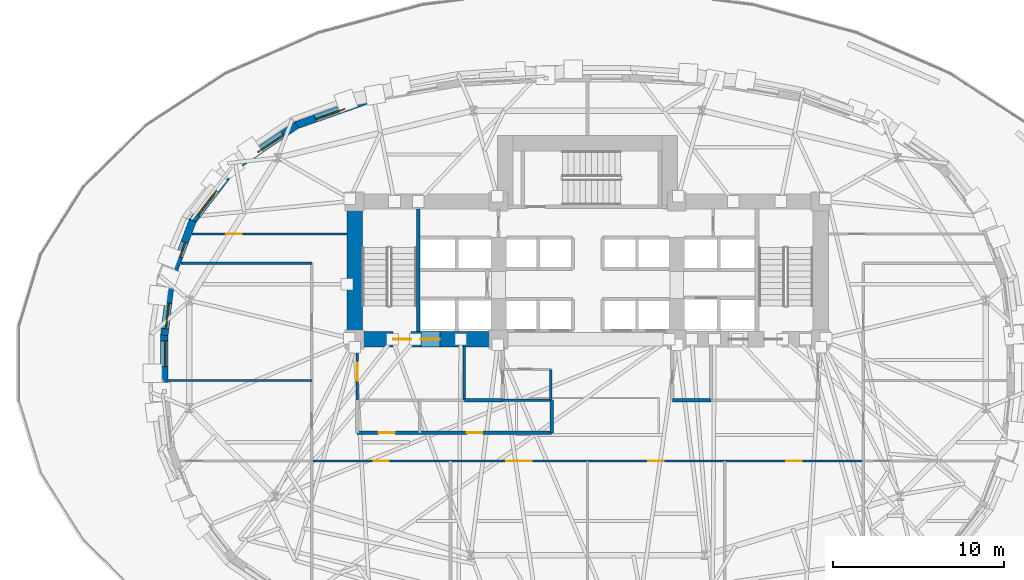
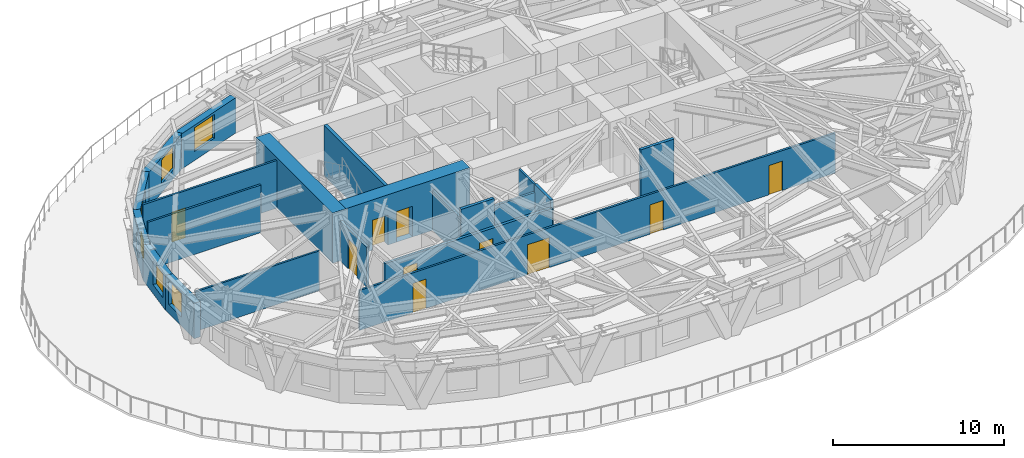
# One storey, part 6 of 14: 21 walls, 10 doors, 6 windows, 16 openings.
"""IFC4 building model written with IfcOpenShell, lengths in metres."""

from ifc_helpers import new_model, si_unit, direction, frame, frame_2d, origin, place, context, subcontext, project, spatial, rectangle, extrude, material, layer, layer_set, type_object, element, fill, save


model = new_model("IFC4")

# Units and contexts
model_context = context("Model", 3, precision=1e-05, world=origin(), true_north=direction((0.0, 1.0)))
body_context = subcontext(model_context, "Body", "Model", "MODEL_VIEW")
ifc_project = project(units=[si_unit("LENGTHUNIT", "METRE"), si_unit("AREAUNIT", "SQUARE_METRE"), si_unit("VOLUMEUNIT", "CUBIC_METRE"), si_unit("PLANEANGLEUNIT", "RADIAN"), si_unit("MASSUNIT", "GRAM", prefix="KILO")], contexts=[model_context])

# Site, building, storey
site_placement = place(None, origin())
site = spatial("IfcSite", under=ifc_project, at=site_placement, CompositionType="ELEMENT")
building_placement = place(site_placement, origin())
building = spatial("IfcBuilding", under=site, at=building_placement, Name="Keldmark Tower", CompositionType="ELEMENT")
storey_placement = place(building_placement, frame((0.0, 0.0, 27.0)))
storey = spatial("IfcBuildingStorey", under=building, at=storey_placement, Name="L06", CompositionType="ELEMENT", Elevation=27.0)

# Wall, openings, doors
ifc_material_1 = material(Name="Acoustic Double-Layer Gypsum Corridor Partition", Category="gypsum")
ifc_layer_1 = layer(ifc_material_1, 0.139892578125)
ifc_layer_set_1 = layer_set([ifc_layer_1], Name="Acoustic Double-Layer Gypsum Corridor Partition")
wall_type_1 = type_object("IfcWallType", Name="Acoustic Corridor Partition 140 mm", PredefinedType="PARTITIONING", material=ifc_layer_set_1)
wall_1_placement = place(storey_placement, frame((-16.10009765625, -5.699951171875, 0.0), z_axis=(0.0, 0.0, 1.0), x_axis=(1.0, 0.0, 0.0)))
wall_1 = element("IfcWall", 1, at=wall_1_placement, inside=storey, type_object=wall_type_1, Name="L06 Acoustic Corridor Partition 140 mm COR-S", PredefinedType="PARTITIONING", context=body_context, shape_type="SweptSolid", body=[
    extrude(rectangle(XDim=32.2001953125, YDim=0.139892578125, at=frame_2d((16.10009765625, 0.0))), origin(), (0.0, 0.0, 1.0), 2.85302734375),
])
opening_1_placement = place(wall_1_placement, frame((3.60009765625, 0.0, 0.0)))
opening_1 = element("IfcOpeningElement", 2, at=opening_1_placement, cuts=wall_1, Name="Opening D-IN090", PredefinedType="OPENING", context=body_context, shape_type="SweptSolid", body=[
    extrude(rectangle(XDim=0.89990234375, YDim=2.10009765625, at=frame_2d((0.449951171875, 1.050048828125))), frame((0.0, 0.079833984375, 0.0), z_axis=(0.0, -1.0, 0.0), x_axis=(1.0, 0.0, 0.0)), (0.0, 0.0, 1.0), 0.159912109375),
])
opening_2_placement = place(wall_1_placement, frame((11.35009765625, 0.0, 0.0)))
opening_2 = element("IfcOpeningElement", 3, at=opening_2_placement, cuts=wall_1, Name="Opening D-CF150", PredefinedType="OPENING", context=body_context, shape_type="SweptSolid", body=[
    extrude(rectangle(XDim=1.5, YDim=2.14990234375, at=frame_2d((0.75, 1.074951171875))), frame((0.0, 0.079833984375, 0.0), z_axis=(0.0, -1.0, 0.0), x_axis=(1.0, 0.0, 0.0)), (0.0, 0.0, 1.0), 0.159912109375),
])
opening_3_placement = place(wall_1_placement, frame((19.64990234375, 0.0, 0.0)))
opening_3 = element("IfcOpeningElement", 4, at=opening_3_placement, cuts=wall_1, Name="Opening D-IN090", PredefinedType="OPENING", context=body_context, shape_type="SweptSolid", body=[
    extrude(rectangle(XDim=0.89990234375, YDim=2.10009765625, at=frame_2d((0.449951171875, 1.050048828125))), frame((0.0, 0.079833984375, 0.0), z_axis=(0.0, -1.0, 0.0), x_axis=(1.0, 0.0, 0.0)), (0.0, 0.0, 1.0), 0.159912109375),
])
opening_4_placement = place(wall_1_placement, frame((27.699951171875, 0.0, 0.0)))
opening_4 = element("IfcOpeningElement", 5, at=opening_4_placement, cuts=wall_1, Name="Opening D-IN090", PredefinedType="OPENING", context=body_context, shape_type="SweptSolid", body=[
    extrude(rectangle(XDim=0.89990234375, YDim=2.10009765625, at=frame_2d((0.449951171875, 1.050048828125))), frame((0.0, 0.079833984375, 0.0), z_axis=(0.0, -1.0, 0.0), x_axis=(1.0, 0.0, 0.0)), (0.0, 0.0, 1.0), 0.159912109375),
])
ifc_material_2 = material(Name="Acoustic Timber and Tempered Glass Double Door", Category="wood")
door_type_1 = type_object("IfcDoorType", Name="Conference Double Door 1500x2150", OperationType="DOUBLE_DOOR_SINGLE_SWING", PredefinedType="DOOR", material=ifc_material_2)
door_1_placement = place(opening_2_placement, origin())
door_1 = element("IfcDoor", 6, at=door_1_placement, inside=storey, type_object=door_type_1, Name="L06 Conference Double Door 1500x2150 D-SR-2-L06", OperationType="DOUBLE_DOOR_SINGLE_SWING", OverallHeight=2.14990234375, OverallWidth=1.5, PredefinedType="DOOR", context=body_context, shape_type="SweptSolid", body=[
    extrude(rectangle(XDim=1.5, YDim=2.14990234375, at=frame_2d((0.75, 1.074951171875))), frame((0.0, 0.02490234375, 0.0), z_axis=(0.0, -1.0, 0.0), x_axis=(1.0, 0.0, 0.0)), (0.0, 0.0, 1.0), 0.050048828125),
])
fill(opening_2, door_1)
ifc_material_3 = material(Name="Stained American White Oak Veneer", Category="wood")
door_type_2 = type_object("IfcDoorType", Name="Interior Door 900x2100", OperationType="NOTDEFINED", PredefinedType="DOOR", material=ifc_material_3)
door_2_placement = place(opening_1_placement, origin())
door_2 = element("IfcDoor", 7, at=door_2_placement, inside=storey, type_object=door_type_2, Name="L06 Interior Door 900x2100 D-SR-1-L06", OperationType="SINGLE_SWING_LEFT", OverallHeight=2.10009765625, OverallWidth=0.89990234375, PredefinedType="DOOR", context=body_context, shape_type="SweptSolid", body=[
    extrude(rectangle(XDim=0.89990234375, YDim=2.10009765625, at=frame_2d((0.449951171875, 1.050048828125))), frame((0.0, 0.02490234375, 0.0), z_axis=(0.0, -1.0, 0.0), x_axis=(1.0, 0.0, 0.0)), (0.0, 0.0, 1.0), 0.050048828125),
])
fill(opening_1, door_2)
door_3_placement = place(opening_3_placement, origin())
door_3 = element("IfcDoor", 8, at=door_3_placement, inside=storey, type_object=door_type_2, Name="L06 Interior Door 900x2100 D-SR-3-L06", OperationType="SINGLE_SWING_RIGHT", OverallHeight=2.10009765625, OverallWidth=0.89990234375, PredefinedType="DOOR", context=body_context, shape_type="SweptSolid", body=[
    extrude(rectangle(XDim=0.89990234375, YDim=2.10009765625, at=frame_2d((0.449951171875, 1.050048828125))), frame((0.0, 0.02490234375, 0.0), z_axis=(0.0, -1.0, 0.0), x_axis=(1.0, 0.0, 0.0)), (0.0, 0.0, 1.0), 0.050048828125),
])
fill(opening_3, door_3)
door_4_placement = place(opening_4_placement, origin())
door_4 = element("IfcDoor", 9, at=door_4_placement, inside=storey, type_object=door_type_2, Name="L06 Interior Door 900x2100 D-SR-4-L06", OperationType="SINGLE_SWING_RIGHT", OverallHeight=2.10009765625, OverallWidth=0.89990234375, PredefinedType="DOOR", context=body_context, shape_type="SweptSolid", body=[
    extrude(rectangle(XDim=0.89990234375, YDim=2.10009765625, at=frame_2d((0.449951171875, 1.050048828125))), frame((0.0, 0.02490234375, 0.0), z_axis=(0.0, -1.0, 0.0), x_axis=(1.0, 0.0, 0.0)), (0.0, 0.0, 1.0), 0.050048828125),
])
fill(opening_4, door_4)

# Wall, opening, door
wall_2_placement = place(storey_placement, frame((-23.1025390625, 7.550048828125, 0.0), z_axis=(0.0, 0.0, 1.0), x_axis=(1.0, 0.0, 0.0)))
wall_2 = element("IfcWall", 10, at=wall_2_placement, inside=storey, type_object=wall_type_1, Name="L06 Acoustic Corridor Partition 140 mm COR-WN-CAP", PredefinedType="PARTITIONING", context=body_context, shape_type="SweptSolid", body=[
    extrude(rectangle(XDim=9.052490234375, YDim=0.139892578125, at=frame_2d((4.5263671875, 0.0))), origin(), (0.0, 0.0, 1.0), 3.39990234375),
])
opening_5_placement = place(wall_2_placement, frame((1.99365234375, 0.0, 0.0)))
opening_5 = element("IfcOpeningElement", 11, at=opening_5_placement, cuts=wall_2, Name="Opening D-EX092", PredefinedType="OPENING", context=body_context, shape_type="SweptSolid", body=[
    extrude(rectangle(XDim=0.919921875, YDim=2.14990234375, at=frame_2d((0.4599609375, 1.074951171875))), frame((0.0, 0.079833984375, 0.0), z_axis=(0.0, -1.0, 0.0), x_axis=(1.0, 0.0, 0.0)), (0.0, 0.0, 1.0), 0.159912109375),
])
ifc_material_4 = material(Name="Flush American Ash Executive Office Door", Category="wood")
door_type_3 = type_object("IfcDoorType", Name="Executive Office Door 920x2150", OperationType="NOTDEFINED", PredefinedType="DOOR", material=ifc_material_4)
door_5_placement = place(opening_5_placement, origin())
door_5 = element("IfcDoor", 12, at=door_5_placement, inside=storey, type_object=door_type_3, Name="L06 Executive Office Door 920x2150 D-NRNW-L06", OperationType="SINGLE_SWING_LEFT", OverallHeight=2.14990234375, OverallWidth=0.919921875, PredefinedType="DOOR", context=body_context, shape_type="SweptSolid", body=[
    extrude(rectangle(XDim=0.919921875, YDim=2.14990234375, at=frame_2d((0.4599609375, 1.074951171875))), frame((0.0, 0.02490234375, 0.0), z_axis=(0.0, -1.0, 0.0), x_axis=(1.0, 0.0, 0.0)), (0.0, 0.0, 1.0), 0.050048828125),
])
fill(opening_5, door_5)

# Wall
wall_3_placement = place(storey_placement, frame((-23.741943359375, 5.85009765625, 0.0), z_axis=(0.0, 0.0, 1.0), x_axis=(1.0, 0.0, 0.0)))
element("IfcWall", 13, at=wall_3_placement, inside=storey, type_object=wall_type_1, Name="L06 Acoustic Corridor Partition 140 mm COR-WA-S", PredefinedType="PARTITIONING", context=body_context, shape_type="SweptSolid", body=[
    extrude(rectangle(XDim=7.641845703125, YDim=0.139892578125, at=frame_2d((3.82080078125, 0.0))), origin(), (0.0, 0.0, 1.0), 3.39990234375),
])

# Wall, openings, doors
ifc_material_5 = material(Name="Heavy Acoustic Plumbing Chase Gypsum Assembly", Category="gypsum")
ifc_layer_2 = layer(ifc_material_5, 0.18994140625)
ifc_layer_set_2 = layer_set([ifc_layer_2], Name="Heavy Acoustic Plumbing Chase Gypsum Assembly")
wall_type_2 = type_object("IfcWallType", Name="Heavy Wet Wall 190 mm", PredefinedType="PLUMBINGWALL", material=ifc_layer_set_2)
wall_4_placement = place(storey_placement, frame((-13.449951171875, -4.050048828125, 0.0), z_axis=(0.0, 0.0, 1.0), x_axis=(1.0, 0.0, 0.0)))
wall_4 = element("IfcWall", 14, at=wall_4_placement, inside=storey, type_object=wall_type_2, Name="L06 Heavy Wet Wall 190 mm SPK-W-S", PredefinedType="PLUMBINGWALL", context=body_context, shape_type="SweptSolid", body=[
    extrude(rectangle(XDim=11.349853515625, YDim=0.18994140625, at=frame_2d((5.6748046875, 0.0))), origin(), (0.0, 0.0, 1.0), 2.85302734375),
])
opening_6_placement = place(wall_4_placement, frame((1.25, 0.0, 0.0)))
opening_6 = element("IfcOpeningElement", 15, at=opening_6_placement, cuts=wall_4, Name="Opening D-AWC95", PredefinedType="OPENING", context=body_context, shape_type="SweptSolid", body=[
    extrude(rectangle(XDim=0.949951171875, YDim=2.14990234375, at=frame_2d((0.47509765625, 1.074951171875))), frame((0.0, 0.10498046875, 0.0), z_axis=(0.0, -1.0, 0.0), x_axis=(1.0, 0.0, 0.0)), (0.0, 0.0, 1.0), 0.2099609375),
])
opening_7_placement = place(wall_4_placement, frame((6.39990234375, 0.0, 0.0)))
opening_7 = element("IfcOpeningElement", 16, at=opening_7_placement, cuts=wall_4, Name="Opening D-IN090", PredefinedType="OPENING", context=body_context, shape_type="SweptSolid", body=[
    extrude(rectangle(XDim=0.89990234375, YDim=2.10009765625, at=frame_2d((0.449951171875, 1.050048828125))), frame((0.0, 0.10498046875, 0.0), z_axis=(0.0, -1.0, 0.0), x_axis=(1.0, 0.0, 0.0)), (0.0, 0.0, 1.0), 0.2099609375),
])
ifc_material_6 = material(Name="Painted Solid-Core Architectural Wood", Category="wood")
door_type_4 = type_object("IfcDoorType", Name="Accessible WC Door 950x2150", OperationType="NOTDEFINED", PredefinedType="DOOR", material=ifc_material_6)
door_6_placement = place(opening_6_placement, origin())
door_6 = element("IfcDoor", 17, at=door_6_placement, inside=storey, type_object=door_type_4, Name="L06 Accessible WC Door 950x2150 D-SPKW1-L06", OperationType="SINGLE_SWING_LEFT", OverallHeight=2.14990234375, OverallWidth=0.949951171875, PredefinedType="DOOR", context=body_context, shape_type="SweptSolid", body=[
    extrude(rectangle(XDim=0.949951171875, YDim=2.14990234375, at=frame_2d((0.47509765625, 1.074951171875))), frame((0.0, 0.02490234375, 0.0), z_axis=(0.0, -1.0, 0.0), x_axis=(1.0, 0.0, 0.0)), (0.0, 0.0, 1.0), 0.050048828125),
])
fill(opening_6, door_6)
door_7_placement = place(opening_7_placement, origin())
door_7 = element("IfcDoor", 18, at=door_7_placement, inside=storey, type_object=door_type_2, Name="L06 Interior Door 900x2100 D-SPKW2-L06", OperationType="SINGLE_SWING_RIGHT", OverallHeight=2.10009765625, OverallWidth=0.89990234375, PredefinedType="DOOR", context=body_context, shape_type="SweptSolid", body=[
    extrude(rectangle(XDim=0.89990234375, YDim=2.10009765625, at=frame_2d((0.449951171875, 1.050048828125))), frame((0.0, 0.02490234375, 0.0), z_axis=(0.0, -1.0, 0.0), x_axis=(1.0, 0.0, 0.0)), (0.0, 0.0, 1.0), 0.050048828125),
])
fill(opening_7, door_7)

# Walls
wall_5_placement = place(storey_placement, frame((-2.10009765625, -4.050048828125, 0.0), z_axis=(0.0, 0.0, 1.0), x_axis=(0.0, 1.0, 0.0)))
element("IfcWall", 19, at=wall_5_placement, inside=storey, type_object=wall_type_2, Name="L06 Heavy Wet Wall 190 mm SPK-W-E", PredefinedType="PLUMBINGWALL", context=body_context, shape_type="SweptSolid", body=[
    extrude(rectangle(XDim=1.900146484375, YDim=0.18994140625, at=frame_2d((0.9501953125, 0.0))), origin(), (0.0, 0.0, 1.0), 3.39990234375),
])
ifc_material_7 = material(Name="Acoustic Gypsum Board Interior Partition", Category="gypsum")
ifc_layer_3 = layer(ifc_material_7, 0.1298828125)
ifc_layer_set_3 = layer_set([ifc_layer_3], Name="Acoustic Gypsum Board Interior Partition")
wall_type_3 = type_object("IfcWallType", Name="Interior Partition 130 mm", PredefinedType="PARTITIONING", material=ifc_layer_set_3)
wall_6_placement = place(storey_placement, frame((-2.14990234375, -2.14990234375, 0.0), z_axis=(0.0, 0.0, 1.0), x_axis=(0.0, 1.0, 0.0)))
element("IfcWall", 20, at=wall_6_placement, inside=storey, type_object=wall_type_3, Name="L06 Interior Partition 130 mm CSC-W-E", PredefinedType="PARTITIONING", context=body_context, shape_type="SweptSolid", body=[
    extrude(rectangle(XDim=1.7998046875, YDim=0.1298828125, at=frame_2d((0.89990234375, 0.0))), origin(), (0.0, 0.0, 1.0), 3.39990234375),
])
wall_7_placement = place(storey_placement, frame((-24.482177734375, -1.0, 0.0), z_axis=(0.0, 0.0, 1.0), x_axis=(1.0, 0.0, 0.0)))
element("IfcWall", 21, at=wall_7_placement, inside=storey, type_object=wall_type_3, Name="L06 Interior Partition 130 mm W-DIV-1", PredefinedType="PARTITIONING", context=body_context, shape_type="SweptSolid", body=[
    extrude(rectangle(XDim=8.382080078125, YDim=0.1298828125, at=frame_2d((4.19091796875, 0.0))), origin(), (0.0, 0.0, 1.0), 2.841064453125),
])
ifc_material_8 = material(Name="Concrete C70/85", Category="concrete")
ifc_layer_4 = layer(ifc_material_8, 0.89990234375)
ifc_layer_set_4 = layer_set([ifc_layer_4], Name="Concrete C70/85")
wall_type_4 = type_object("IfcWallType", Name="Lower Core Shear Wall 900 mm", PredefinedType="SHEAR", material=ifc_layer_set_4)
wall_8_placement = place(storey_placement, frame((-13.60009765625, 0.949951171875, 0.0), z_axis=(0.0, 0.0, 1.0), x_axis=(0.0, 1.0, 0.0)))
element("IfcWall", 22, at=wall_8_placement, inside=storey, type_object=wall_type_4, Name="L06 West Core Outer Shear Wall", PredefinedType="SHEAR", context=body_context, shape_type="SweptSolid", body=[
    extrude(rectangle(XDim=8.949951171875, YDim=0.89990234375, at=frame_2d((4.47509765625, 0.0))), origin(), (0.0, 0.0, 1.0), 3.60009765625),
])

# Wall, openings, doors
wall_9_placement = place(storey_placement, frame((-4.75, 1.39990234375, 0.0), z_axis=(0.0, 0.0, 1.0), x_axis=(-1.0, 0.0, 0.0)))
wall_9 = element("IfcWall", 23, at=wall_9_placement, inside=storey, type_object=wall_type_4, Name="L06 West Core South Shear Wall", PredefinedType="SHEAR", context=body_context, shape_type="SweptSolid", body=[
    extrude(rectangle(XDim=9.300048828125, YDim=0.89990234375, at=frame_2d((4.64990234375, 0.0))), origin(), (0.0, 0.0, 1.0), 3.60009765625),
])
opening_8_placement = place(wall_9_placement, frame((5.550048828125, 0.0, 0.0)))
opening_8 = element("IfcOpeningElement", 24, at=opening_8_placement, cuts=wall_9, Name="Opening D-ST105", PredefinedType="OPENING", context=body_context, shape_type="SweptSolid", body=[
    extrude(rectangle(XDim=1.050048828125, YDim=2.14990234375, at=frame_2d((0.52490234375, 1.074951171875))), frame((0.0, 0.4599609375, 0.0), z_axis=(0.0, -1.0, 0.0), x_axis=(1.0, 0.0, 0.0)), (0.0, 0.0, 1.0), 0.919921875),
])
opening_9_placement = place(wall_9_placement, frame((3.8798828125, 0.0, 0.0)))
opening_9 = element("IfcOpeningElement", 25, at=opening_9_placement, cuts=wall_9, Name="Opening LD-110", PredefinedType="OPENING", context=body_context, shape_type="SweptSolid", body=[
    extrude(rectangle(XDim=1.10009765625, YDim=2.199951171875, at=frame_2d((0.550048828125, 1.10009765625))), frame((0.0, 0.4599609375, 0.0), z_axis=(0.0, -1.0, 0.0), x_axis=(1.0, 0.0, 0.0)), (0.0, 0.0, 1.0), 0.919921875),
])
ifc_material_9 = material(Name="Brushed Bronze Hoistway Sliding Leaf", Category="metal")
door_type_5 = type_object("IfcDoorType", Name="Lift Landing Sliding Door 1100x2200", OperationType="SLIDING_TO_LEFT", PredefinedType="DOOR", material=ifc_material_9)
door_8_placement = place(opening_9_placement, origin())
door_8 = element("IfcDoor", 26, at=door_8_placement, inside=storey, type_object=door_type_5, Name="L06 Lift Landing Sliding Door 1100x2200 LD-EL-FS1-L06", OperationType="SLIDING_TO_LEFT", OverallHeight=2.199951171875, OverallWidth=1.10009765625, PredefinedType="DOOR", context=body_context, shape_type="SweptSolid", body=[
    extrude(rectangle(XDim=1.10009765625, YDim=2.199951171875, at=frame_2d((0.550048828125, 1.10009765625))), frame((0.0, 0.02490234375, 0.0), z_axis=(0.0, -1.0, 0.0), x_axis=(1.0, 0.0, 0.0)), (0.0, 0.0, 1.0), 0.050048828125),
])
fill(opening_9, door_8)
ifc_material_10 = material(Name="Hollow Metal Fire-Rated Door Assembly", Category="metal")
door_type_6 = type_object("IfcDoorType", Name="Stair Fire Door 1050x2150", OperationType="NOTDEFINED", PredefinedType="DOOR", material=ifc_material_10)
door_9_placement = place(opening_8_placement, origin())
door_9 = element("IfcDoor", 27, at=door_9_placement, inside=storey, type_object=door_type_6, Name="L06 Stair Fire Door 1050x2150 D-ST1-L06", OperationType="SINGLE_SWING_RIGHT", OverallHeight=2.14990234375, OverallWidth=1.050048828125, PredefinedType="DOOR", context=body_context, shape_type="SweptSolid", body=[
    extrude(rectangle(XDim=1.050048828125, YDim=2.14990234375, at=frame_2d((0.52490234375, 1.074951171875))), frame((0.0, 0.02490234375, 0.0), z_axis=(0.0, -1.0, 0.0), x_axis=(1.0, 0.0, 0.0)), (0.0, 0.0, 1.0), 0.050048828125),
])
fill(opening_8, door_9)

# Wall, opening, door
ifc_material_11 = material(Name="Type X Fire-Rated Gypsum Partition Assembly", Category="gypsum")
ifc_layer_5 = layer(ifc_material_11, 0.1650390625)
ifc_layer_set_5 = layer_set([ifc_layer_5], Name="Type X Fire-Rated Gypsum Partition Assembly")
wall_type_5 = type_object("IfcWallType", Name="Rated Partition 165 mm", PredefinedType="PARTITIONING", material=ifc_layer_set_5)
wall_10_placement = place(storey_placement, frame((-13.449951171875, -2.14990234375, 0.0), z_axis=(0.0, 0.0, 1.0), x_axis=(0.0, 1.0, 0.0)))
wall_10 = element("IfcWall", 28, at=wall_10_placement, inside=storey, type_object=wall_type_5, Name="L06 Rated Partition 165 mm FSAE-W-W", PredefinedType="PARTITIONING", context=body_context, shape_type="SweptSolid", body=[
    extrude(rectangle(XDim=3.14990234375, YDim=0.1650390625, at=frame_2d((1.574951171875, 0.0))), origin(), (0.0, 0.0, 1.0), 2.85302734375),
])
opening_10_placement = place(wall_10_placement, frame((1.14990234375, 0.0, 0.0)))
opening_10 = element("IfcOpeningElement", 29, at=opening_10_placement, cuts=wall_10, Name="Opening D-FL105", PredefinedType="OPENING", context=body_context, shape_type="SweptSolid", body=[
    extrude(rectangle(XDim=1.050048828125, YDim=2.14990234375, at=frame_2d((0.52490234375, 1.074951171875))), frame((0.0, 0.092529296875, 0.0), z_axis=(0.0, -1.0, 0.0), x_axis=(1.0, 0.0, 0.0)), (0.0, 0.0, 1.0), 0.18505859375),
])
ifc_material_12 = material(Name="Fire-Rated Mineral-Core Door and Vision Lite", Category="metal")
door_type_7 = type_object("IfcDoorType", Name="Fire Lobby Door 1050x2150", OperationType="NOTDEFINED", PredefinedType="DOOR", material=ifc_material_12)
door_10_placement = place(opening_10_placement, origin())
door_10 = element("IfcDoor", 30, at=door_10_placement, inside=storey, type_object=door_type_7, Name="L06 Fire Lobby Door 1050x2150 D-FSAEW-OUT-L06", OperationType="SINGLE_SWING_LEFT", OverallHeight=2.14990234375, OverallWidth=1.050048828125, PredefinedType="DOOR", context=body_context, shape_type="SweptSolid", body=[
    extrude(rectangle(XDim=1.050048828125, YDim=2.14990234375, at=frame_2d((0.52490234375, 1.074951171875))), frame((0.0, 0.02490234375, 0.0), z_axis=(0.0, -1.0, 0.0), x_axis=(1.0, 0.0, 0.0)), (0.0, 0.0, 1.0), 0.050048828125),
])
fill(opening_10, door_10)

# Walls
wall_11_placement = place(storey_placement, frame((-7.199951171875, -2.14990234375, 0.0), z_axis=(0.0, 0.0, 1.0), x_axis=(0.0, 1.0, 0.0)))
element("IfcWall", 31, at=wall_11_placement, inside=storey, type_object=wall_type_5, Name="L06 Rated Partition 165 mm FSAE-W-E", PredefinedType="PARTITIONING", context=body_context, shape_type="SweptSolid", body=[
    extrude(rectangle(XDim=3.14990234375, YDim=0.1650390625, at=frame_2d((1.574951171875, 0.0))), origin(), (0.0, 0.0, 1.0), 2.85302734375),
])
ifc_material_13 = material(Name="Fire-Resistant Type X Gypsum Shaftliner Coreboard", Category="gypsum")
ifc_layer_6 = layer(ifc_material_13, 0.199951171875)
ifc_layer_set_6 = layer_set([ifc_layer_6], Name="Fire-Resistant Type X Gypsum Shaftliner Coreboard")
wall_type_6 = type_object("IfcWallType", Name="Shaft Wall 200 mm", PredefinedType="SOLIDWALL", material=ifc_layer_set_6)
for number, where, z_axis, x_axis, name in (
    (32, (-7.199951171875, -2.14990234375, 0.0), (0.0, 0.0, 1.0), (1.0, 0.0, 0.0), "L06 Shaft Wall 200 mm RIS-SW-S"),
    (33, (4.949951171875, -2.14990234375, 0.0), (0.0, 0.0, 1.0), (1.0, 0.0, 0.0), "L06 Shaft Wall 200 mm RIS-SE-S"),
):
    element("IfcWall", number, at=place(storey_placement, frame(where, z_axis=z_axis, x_axis=x_axis)), inside=storey, type_object=wall_type_6, Name=name, PredefinedType="SOLIDWALL", context=body_context, shape_type="SweptSolid", body=[
        extrude(rectangle(XDim=2.25, YDim=0.199951171875, at=frame_2d((1.125, 0.0))), origin(), (0.0, 0.0, 1.0), 3.39990234375),
    ])
ifc_material_14 = material(Name="Concrete C50/60", Category="concrete")
ifc_layer_7 = layer(ifc_material_14, 0.219970703125)
ifc_layer_set_7 = layer_set([ifc_layer_7], Name="Concrete C50/60")
wall_type_7 = type_object("IfcWallType", Name="Stair Core Shear Wall 220 mm", PredefinedType="SHEAR", material=ifc_layer_set_7)
wall_12_placement = place(storey_placement, frame((-9.889892578125, 1.85009765625, 0.0), z_axis=(0.0, 0.0, 1.0), x_axis=(0.0, 1.0, 0.0)))
element("IfcWall", 34, at=wall_12_placement, inside=storey, type_object=wall_type_7, Name="L06 West Stair Core Shear Wall", PredefinedType="SHEAR", context=body_context, shape_type="SweptSolid", body=[
    extrude(rectangle(XDim=7.14990234375, YDim=0.219970703125, at=frame_2d((3.574951171875, 0.0))), origin(), (0.0, 0.0, 1.0), 3.60009765625),
])

# Wall, opening, window
ifc_material_15 = material(Name="Ironspot Manganese Brick and Kasota Buff Limestone Spandrel Assembly", Category="masonry")
ifc_layer_8 = layer(ifc_material_15, 0.43994140625)
ifc_layer_set_8 = layer_set([ifc_layer_8], Name="Ironspot Manganese Brick and Kasota Buff Limestone Spandrel Assembly")
wall_type_8 = type_object("IfcWallType", Name="Tower Brick Pier and Spandrel Wall 440 mm", PredefinedType="STANDARD", material=ifc_layer_set_8)
wall_13_placement = place(storey_placement, frame((-17.0234375, 13.894287109375, 0.0), z_axis=(0.0, 0.0, 1.0), x_axis=(0.94336246541, 0.331763860082, 0.0)))
wall_13 = element("IfcWall", 35, at=wall_13_placement, inside=storey, type_object=wall_type_8, Name="L06 Exterior Brick and Spandrel Wall 11", PredefinedType="STANDARD", context=body_context, shape_type="SweptSolid", body=[
    extrude(rectangle(XDim=4.94580078125, YDim=0.43994140625, at=frame_2d((2.472900390625, 0.0))), origin(), (0.0, 0.0, 1.0), 2.529052734375),
])
opening_11_placement = place(wall_13_placement, frame((1.198486328125, 0.0, 0.64990234375)))
opening_11 = element("IfcOpeningElement", 36, at=opening_11_placement, cuts=wall_13, Name="Opening W-02", PredefinedType="OPENING", context=body_context, shape_type="SweptSolid", body=[
    extrude(rectangle(XDim=1.800048828125, YDim=1.699951171875, at=frame_2d((0.89990234375, 0.85009765625))), frame((0.0, 0.22998046875, 0.0), z_axis=(0.0, -1.0, 0.0), x_axis=(1.0, 0.0, 0.0)), (0.0, 0.0, 1.0), 0.4599609375),
])
ifc_material_16 = material(Name="Thermally Broken Anodized Aluminum and Triple Low-E Argon Glazing", Category="aluminium")
window_type_1 = type_object("IfcWindowType", Name="Office Deep-Set Triple Window 1800x1700", PartitioningType="TRIPLE_PANEL_VERTICAL", PredefinedType="WINDOW", material=ifc_material_16)
window_1_placement = place(opening_11_placement, origin())
window_1 = element("IfcWindow", 37, at=window_1_placement, inside=storey, type_object=window_type_1, Name="L06 Deep-Set Window 11", OverallHeight=1.699951171875, OverallWidth=1.800048828125, PartitioningType="SINGLE_PANEL", PredefinedType="WINDOW", context=body_context, shape_type="SweptSolid", body=[
    extrude(rectangle(XDim=1.800048828125, YDim=1.699951171875, at=frame_2d((0.89990234375, 0.85009765625))), frame((0.0, -0.010009765625, 0.0), z_axis=(0.0, -1.0, 0.0), x_axis=(1.0, 0.0, 0.0)), (0.0, 0.0, 1.0), 0.06005859375),
])
fill(opening_11, window_1)

wall_14_placement = place(storey_placement, frame((-20.708740234375, 11.390869140625, 0.0), z_axis=(0.0, 0.0, 1.0), x_axis=(0.828124546302, 0.560544142608, 0.0)))
wall_14 = element("IfcWall", 38, at=wall_14_placement, inside=storey, type_object=wall_type_8, Name="L06 Exterior Brick and Spandrel Wall 12", PredefinedType="STANDARD", context=body_context, shape_type="SweptSolid", body=[
    extrude(rectangle(XDim=4.510986328125, YDim=0.43994140625, at=frame_2d((2.25537109375, 0.0))), origin(), (0.0, 0.0, 1.0), 2.532958984375),
])
opening_12_placement = place(wall_14_placement, frame((1.724365234375, 0.0, 0.64990234375)))
opening_12 = element("IfcOpeningElement", 39, at=opening_12_placement, cuts=wall_14, Name="Opening W-02", PredefinedType="OPENING", context=body_context, shape_type="SweptSolid", body=[
    extrude(rectangle(XDim=1.800048828125, YDim=1.699951171875, at=frame_2d((0.89990234375, 0.85009765625))), frame((0.0, 0.22998046875, 0.0), z_axis=(0.0, -1.0, 0.0), x_axis=(1.0, 0.0, 0.0)), (0.0, 0.0, 1.0), 0.4599609375),
])
window_2_placement = place(opening_12_placement, origin())
window_2 = element("IfcWindow", 40, at=window_2_placement, inside=storey, type_object=window_type_1, Name="L06 Deep-Set Window 12", OverallHeight=1.699951171875, OverallWidth=1.800048828125, PartitioningType="SINGLE_PANEL", PredefinedType="WINDOW", context=body_context, shape_type="SweptSolid", body=[
    extrude(rectangle(XDim=1.800048828125, YDim=1.699951171875, at=frame_2d((0.89990234375, 0.85009765625))), frame((0.0, -0.010009765625, 0.0), z_axis=(0.0, -1.0, 0.0), x_axis=(1.0, 0.0, 0.0)), (0.0, 0.0, 1.0), 0.06005859375),
])
fill(opening_12, window_2)

wall_15_placement = place(storey_placement, frame((-23.08154296875, 8.28076171875, 0.0), z_axis=(0.0, 0.0, 1.0), x_axis=(0.608803527611, 0.793321035123, 0.0)))
wall_15 = element("IfcWall", 41, at=wall_15_placement, inside=storey, type_object=wall_type_8, Name="L06 Exterior Brick and Spandrel Wall 13", PredefinedType="STANDARD", context=body_context, shape_type="SweptSolid", body=[
    extrude(rectangle(XDim=3.981201171875, YDim=0.43994140625, at=frame_2d((1.99072265625, 0.0))), origin(), (0.0, 0.0, 1.0), 2.532958984375),
])
opening_13_placement = place(wall_15_placement, frame((0.496826171875, 0.0, 0.64990234375)))
opening_13 = element("IfcOpeningElement", 42, at=opening_13_placement, cuts=wall_15, Name="Opening W-02", PredefinedType="OPENING", context=body_context, shape_type="SweptSolid", body=[
    extrude(rectangle(XDim=1.800048828125, YDim=1.699951171875, at=frame_2d((0.89990234375, 0.85009765625))), frame((0.0, 0.22998046875, 0.0), z_axis=(0.0, -1.0, 0.0), x_axis=(1.0, 0.0, 0.0)), (0.0, 0.0, 1.0), 0.4599609375),
])
window_3_placement = place(opening_13_placement, origin())
window_3 = element("IfcWindow", 43, at=window_3_placement, inside=storey, type_object=window_type_1, Name="L06 Deep-Set Window 13", OverallHeight=1.699951171875, OverallWidth=1.800048828125, PartitioningType="SINGLE_PANEL", PredefinedType="WINDOW", context=body_context, shape_type="SweptSolid", body=[
    extrude(rectangle(XDim=1.800048828125, YDim=1.699951171875, at=frame_2d((0.89990234375, 0.85009765625))), frame((0.0, -0.010009765625, 0.0), z_axis=(0.0, -1.0, 0.0), x_axis=(1.0, 0.0, 0.0)), (0.0, 0.0, 1.0), 0.06005859375),
])
fill(opening_13, window_3)

wall_16_placement = place(storey_placement, frame((-24.320556640625, 4.958984375, 0.0), z_axis=(0.0, 0.0, 1.0), x_axis=(0.351960996761, 0.936014666957, 0.0)))
wall_16 = element("IfcWall", 44, at=wall_16_placement, inside=storey, type_object=wall_type_8, Name="L06 Exterior Brick and Spandrel Wall 14", PredefinedType="STANDARD", context=body_context, shape_type="SweptSolid", body=[
    extrude(rectangle(XDim=3.609130859375, YDim=0.43994140625, at=frame_2d((1.8046875, 0.0))), origin(), (0.0, 0.0, 1.0), 2.532958984375),
])
opening_14_placement = place(wall_16_placement, frame((1.3544921875, 0.0, 0.580078125)))
opening_14 = element("IfcOpeningElement", 45, at=opening_14_placement, cuts=wall_16, Name="Opening W-09", PredefinedType="OPENING", context=body_context, shape_type="SweptSolid", body=[
    extrude(rectangle(XDim=0.89990234375, YDim=1.35009765625, at=frame_2d((0.449951171875, 0.675048828125))), frame((0.0, 0.22998046875, 0.0), z_axis=(0.0, -1.0, 0.0), x_axis=(1.0, 0.0, 0.0)), (0.0, 0.0, 1.0), 0.4599609375),
])
ifc_material_17 = material(Name="Thermally Broken Anodized Aluminum and Triple Low-E Argon Glazing", Category="aluminium")
window_type_2 = type_object("IfcWindowType", Name="Corner Pier Deep-Set Window 900x1350", PartitioningType="SINGLE_PANEL", PredefinedType="WINDOW", material=ifc_material_17)
window_4_placement = place(opening_14_placement, origin())
window_4 = element("IfcWindow", 46, at=window_4_placement, inside=storey, type_object=window_type_2, Name="L06 Deep-Set Window 14", OverallHeight=1.35009765625, OverallWidth=0.89990234375, PartitioningType="SINGLE_PANEL", PredefinedType="WINDOW", context=body_context, shape_type="SweptSolid", body=[
    extrude(rectangle(XDim=0.89990234375, YDim=1.35009765625, at=frame_2d((0.449951171875, 0.675048828125))), frame((0.0, -0.010009765625, 0.0), z_axis=(0.0, -1.0, 0.0), x_axis=(1.0, 0.0, 0.0)), (0.0, 0.0, 1.0), 0.06005859375),
])
fill(opening_14, window_4)

wall_17_placement = place(storey_placement, frame((-24.711669921875, 1.635986328125, 0.0), z_axis=(0.0, 0.0, 1.0), x_axis=(0.118754274869, 0.992923673905, 0.0)))
wall_17 = element("IfcWall", 47, at=wall_17_placement, inside=storey, type_object=wall_type_8, Name="L06 Exterior Brick and Spandrel Wall 15", PredefinedType="STANDARD", context=body_context, shape_type="SweptSolid", body=[
    extrude(rectangle(XDim=3.398193359375, YDim=0.43994140625, at=frame_2d((1.69921875, 0.0))), origin(), (0.0, 0.0, 1.0), 2.532958984375),
])
opening_15_placement = place(wall_17_placement, frame((0.39990234375, 0.0, 0.64990234375)))
opening_15 = element("IfcOpeningElement", 48, at=opening_15_placement, cuts=wall_17, Name="Opening W-03", PredefinedType="OPENING", context=body_context, shape_type="SweptSolid", body=[
    extrude(rectangle(XDim=1.5, YDim=1.699951171875, at=frame_2d((0.75, 0.85009765625))), frame((0.0, 0.22998046875, 0.0), z_axis=(0.0, -1.0, 0.0), x_axis=(1.0, 0.0, 0.0)), (0.0, 0.0, 1.0), 0.4599609375),
])
ifc_material_18 = material(Name="Thermally Broken Anodized Aluminum and Triple Low-E Argon Glazing", Category="aluminium")
window_type_3 = type_object("IfcWindowType", Name="Office Corner Deep-Set Window 1500x1700", PartitioningType="DOUBLE_PANEL_VERTICAL", PredefinedType="WINDOW", material=ifc_material_18)
window_5_placement = place(opening_15_placement, origin())
window_5 = element("IfcWindow", 49, at=window_5_placement, inside=storey, type_object=window_type_3, Name="L06 Deep-Set Window 15", OverallHeight=1.699951171875, OverallWidth=1.5, PartitioningType="SINGLE_PANEL", PredefinedType="WINDOW", context=body_context, shape_type="SweptSolid", body=[
    extrude(rectangle(XDim=1.5, YDim=1.699951171875, at=frame_2d((0.75, 0.85009765625))), frame((0.0, -0.010009765625, 0.0), z_axis=(0.0, -1.0, 0.0), x_axis=(1.0, 0.0, 0.0)), (0.0, 0.0, 1.0), 0.06005859375),
])
fill(opening_15, window_5)

wall_18_placement = place(storey_placement, frame((-24.710205078125, -1.662109375, 0.0), z_axis=(0.0, 0.0, 1.0), x_axis=(0.0, 1.0, 0.0)))
wall_18 = element("IfcWall", 50, at=wall_18_placement, inside=storey, type_object=wall_type_8, Name="L06 Exterior Brick and Spandrel Wall 16", PredefinedType="STANDARD", context=body_context, shape_type="SweptSolid", body=[
    extrude(rectangle(XDim=3.32421875, YDim=0.43994140625, at=frame_2d((1.662109375, 0.0))), origin(), (0.0, 0.0, 1.0), 2.532958984375),
])
opening_16_placement = place(wall_18_placement, frame((1.476806640625, 0.0, 0.64990234375)))
opening_16 = element("IfcOpeningElement", 51, at=opening_16_placement, cuts=wall_18, Name="Opening W-03", PredefinedType="OPENING", context=body_context, shape_type="SweptSolid", body=[
    extrude(rectangle(XDim=1.5, YDim=1.699951171875, at=frame_2d((0.75, 0.85009765625))), frame((0.0, 0.22998046875, 0.0), z_axis=(0.0, -1.0, 0.0), x_axis=(1.0, 0.0, 0.0)), (0.0, 0.0, 1.0), 0.4599609375),
])
window_6_placement = place(opening_16_placement, origin())
window_6 = element("IfcWindow", 52, at=window_6_placement, inside=storey, type_object=window_type_3, Name="L06 Deep-Set Window 16", OverallHeight=1.699951171875, OverallWidth=1.5, PartitioningType="SINGLE_PANEL", PredefinedType="WINDOW", context=body_context, shape_type="SweptSolid", body=[
    extrude(rectangle(XDim=1.5, YDim=1.699951171875, at=frame_2d((0.75, 0.85009765625))), frame((0.0, -0.010009765625, 0.0), z_axis=(0.0, -1.0, 0.0), x_axis=(1.0, 0.0, 0.0)), (0.0, 0.0, 1.0), 0.06005859375),
])
fill(opening_16, window_6)

# Wall
ifc_material_19 = material(Name="Moisture-Resistant Gypsum Plumbing Partition", Category="gypsum")
ifc_layer_9 = layer(ifc_material_19, 0.14990234375)
ifc_layer_set_9 = layer_set([ifc_layer_9], Name="Moisture-Resistant Gypsum Plumbing Partition")
wall_type_9 = type_object("IfcWallType", Name="Wet Wall 150 mm", PredefinedType="PLUMBINGWALL", material=ifc_layer_set_9)
wall_19_placement = place(storey_placement, frame((-4.949951171875, -2.14990234375, 0.0), z_axis=(0.0, 0.0, 1.0), x_axis=(1.0, 0.0, 0.0)))
element("IfcWall", 53, at=wall_19_placement, inside=storey, type_object=wall_type_9, Name="L06 Wet Wall 150 mm SPK-W-N", PredefinedType="PLUMBINGWALL", context=body_context, shape_type="SweptSolid", body=[
    extrude(rectangle(XDim=2.849853515625, YDim=0.14990234375, at=frame_2d((1.4248046875, 0.0))), origin(), (0.0, 0.0, 1.0), 2.85302734375),
])

save(model, "model.ifc")
